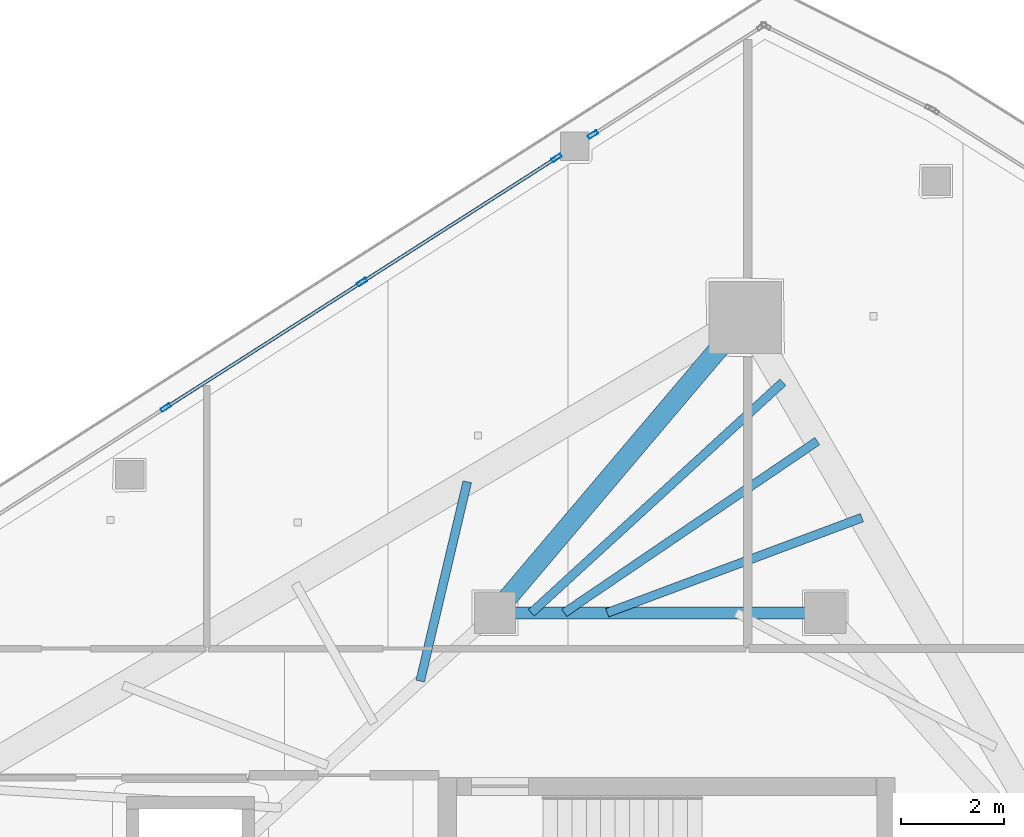
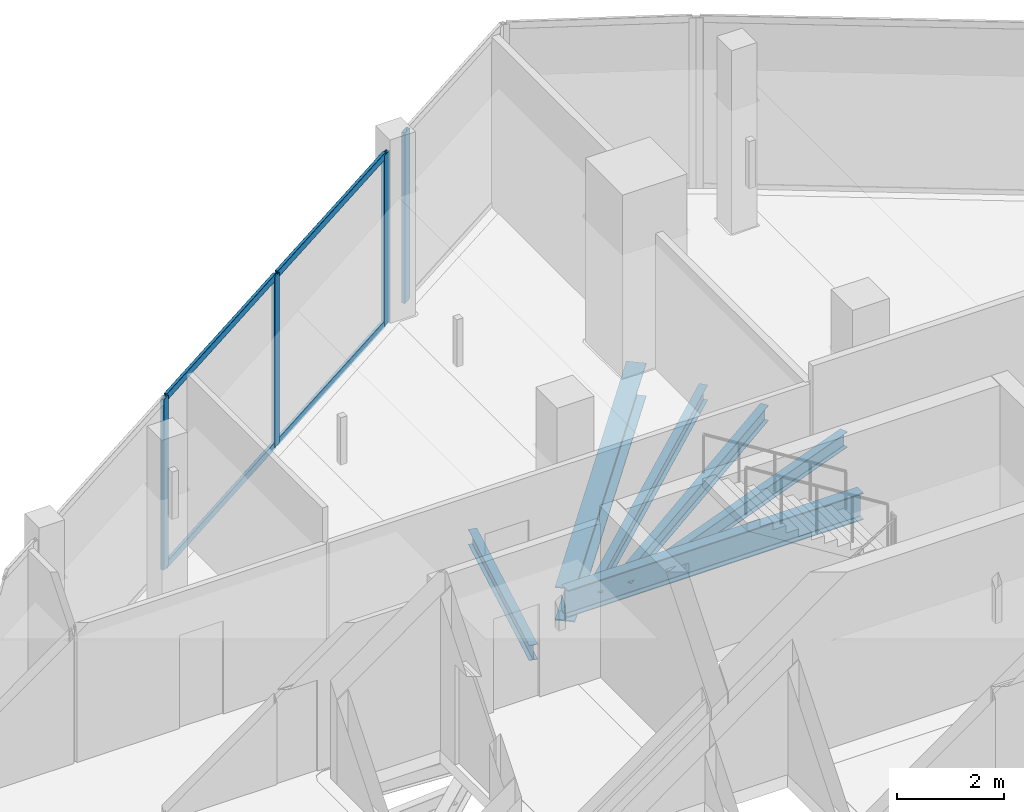
# One storey, part 13 of 25: 8 members, 6 beams, 2 elements without a shape of their own.
"""IFC4 building model written with IfcOpenShell, lengths in metres."""

from ifc_helpers import new_model, si_unit, direction, frame, origin, origin_2d, place, context, subcontext, project, spatial, hollow_rectangle, i_section, extrude, material, layer, layer_set, material_profile, profile_set, type_object, element, aggregate, save


model = new_model("IFC4")

# Units and contexts
model_context = context("Model", 3, precision=1e-05, world=origin(), true_north=direction((0.0, 1.0)))
body_context = subcontext(model_context, "Body", "Model", "MODEL_VIEW")
ifc_project = project(units=[si_unit("LENGTHUNIT", "METRE"), si_unit("AREAUNIT", "SQUARE_METRE"), si_unit("VOLUMEUNIT", "CUBIC_METRE"), si_unit("PLANEANGLEUNIT", "RADIAN"), si_unit("MASSUNIT", "GRAM", prefix="KILO")], contexts=[model_context])

# Site, building, storey
site_placement = place(None, origin())
site = spatial("IfcSite", under=ifc_project, at=site_placement, CompositionType="ELEMENT")
building_placement = place(site_placement, origin())
building = spatial("IfcBuilding", under=site, at=building_placement, Name="Qorvath Tower", CompositionType="ELEMENT")
storey_placement = place(building_placement, frame((0.0, 0.0, 297.60009765625)))
storey = spatial("IfcBuildingStorey", under=building, at=storey_placement, Name="L69", CompositionType="ELEMENT", Elevation=297.60009765625)

# Beams
ifc_material_1 = material(Name="Steel ASTM A992 Grade 50", Category="steel")
ifc_material_profile_1 = material_profile(ifc_material_1, i_section(OverallWidth=0.381103515625, OverallDepth=0.77294921875, WebThickness=0.0166015625, FlangeThickness=0.027099609375, FilletRadius=0.01904296875, at=origin_2d()), Name="W30x173")
ifc_profile_set_1 = profile_set([ifc_material_profile_1], Name="Steel ASTM A992 Grade 50")
beam_type_1 = type_object("IfcBeamType", Name="BM-FG3", PredefinedType="BEAM", material=ifc_profile_set_1)
beam_1_placement = place(storey_placement, frame((-23.60009765625, 11.449951171875, -0.676513671875), z_axis=(0.646321389876, 0.763065305848, 0.0), x_axis=(-0.763065305848, 0.646321389876, 0.0)))
element("IfcBeam", 1, at=beam_1_placement, inside=storey, type_object=beam_type_1, Name="Radial Floor Girder CC1-MC6 L69", PredefinedType="BEAM", context=body_context, shape_type="SweptSolid", body=[
    extrude(i_section(OverallWidth=0.381103515625, OverallDepth=0.77294921875, WebThickness=0.0166015625, FlangeThickness=0.027099609375, FilletRadius=0.01904296875, at=origin_2d()), origin(), (0.0, 0.0, 1.0), 7.50341796875),
])
ifc_material_2 = material(Name="Steel ASTM A992 Grade 50", Category="steel")
ifc_material_profile_2 = material_profile(ifc_material_2, i_section(OverallWidth=0.22998046875, OverallDepth=0.616943359375, WebThickness=0.01318359375, FlangeThickness=0.022216796875, FilletRadius=0.014892578125, at=origin_2d()), Name="W24x94")
ifc_profile_set_2 = profile_set([ifc_material_profile_2], Name="Steel ASTM A992 Grade 50")
beam_type_2 = type_object("IfcBeamType", Name="BM-FG6", PredefinedType="BEAM", material=ifc_profile_set_2)
beam_2_placement = place(storey_placement, frame((-23.60009765625, 11.449951171875, -0.598388671875), z_axis=(1.0, 0.0, 0.0), x_axis=(0.0, 1.0, 0.0)))
element("IfcBeam", 2, at=beam_2_placement, inside=storey, type_object=beam_type_2, Name="Core Ring Girder CC1-CC2 L69", PredefinedType="BEAM", context=body_context, shape_type="SweptSolid", body=[
    extrude(i_section(OverallWidth=0.22998046875, OverallDepth=0.616943359375, WebThickness=0.01318359375, FlangeThickness=0.022216796875, FilletRadius=0.014892578125, at=origin_2d()), origin(), (0.0, 0.0, 1.0), 6.400146484375),
])
ifc_material_3 = material(Name="Steel ASTM A992 Grade 50", Category="steel")
ifc_material_profile_3 = material_profile(ifc_material_3, i_section(OverallWidth=0.1708984375, OverallDepth=0.35107421875, WebThickness=0.0068359375, FlangeThickness=0.009765625, FilletRadius=0.010009765625, at=origin_2d()), Name="W14x30")
ifc_profile_set_3 = profile_set([ifc_material_profile_3], Name="Steel ASTM A992 Grade 50")
beam_type_3 = type_object("IfcBeamType", Name="BM-FJ4", PredefinedType="JOIST", material=ifc_profile_set_3)
beam_3_placement = place(storey_placement, frame((-21.424072265625, 11.449951171875, -0.465576171875), z_axis=(0.936775909139, 0.349929844478, 0.0), x_axis=(-0.349929844478, 0.936775909139, 0.0)))
element("IfcBeam", 3, at=beam_3_placement, inside=storey, type_object=beam_type_3, Name="Composite Floor Joist NE5 L69", PredefinedType="JOIST", context=body_context, shape_type="SweptSolid", body=[
    extrude(i_section(OverallWidth=0.1708984375, OverallDepth=0.35107421875, WebThickness=0.0068359375, FlangeThickness=0.009765625, FilletRadius=0.010009765625, at=origin_2d()), origin(), (0.0, 0.0, 1.0), 5.268798828125),
])
beam_4_placement = place(storey_placement, frame((-22.256103515625, 11.449951171875, -0.465576171875), z_axis=(0.827400561462, 0.56161224247, 0.0), x_axis=(-0.56161224247, 0.827400561462, 0.0)))
element("IfcBeam", 4, at=beam_4_placement, inside=storey, type_object=beam_type_3, Name="Composite Floor Joist NE6 L69", PredefinedType="JOIST", context=body_context, shape_type="SweptSolid", body=[
    extrude(i_section(OverallWidth=0.1708984375, OverallDepth=0.35107421875, WebThickness=0.0068359375, FlangeThickness=0.009765625, FilletRadius=0.010009765625, at=origin_2d()), origin(), (0.0, 0.0, 1.0), 5.925537109375),
])
beam_5_placement = place(storey_placement, frame((-22.89599609375, 11.449951171875, -0.465576171875), z_axis=(0.737232260457, 0.675639396528, 0.0), x_axis=(-0.675639396528, 0.737232260457, 0.0)))
element("IfcBeam", 5, at=beam_5_placement, inside=storey, type_object=beam_type_3, Name="Composite Floor Joist NE7 L69", PredefinedType="JOIST", context=body_context, shape_type="SweptSolid", body=[
    extrude(i_section(OverallWidth=0.1708984375, OverallDepth=0.35107421875, WebThickness=0.0068359375, FlangeThickness=0.009765625, FilletRadius=0.010009765625, at=origin_2d()), origin(), (0.0, 0.0, 1.0), 6.615478515625),
])
beam_6_placement = place(storey_placement, frame((-25.049072265625, 10.126953125, -0.465576171875), z_axis=(0.22966321917, 0.973270160726, 0.0), x_axis=(-0.973270160726, 0.22966321917, 0.0)))
element("IfcBeam", 6, at=beam_6_placement, inside=storey, type_object=beam_type_3, Name="Composite Floor Joist NW6 L69", PredefinedType="JOIST", context=body_context, shape_type="SweptSolid", body=[
    extrude(i_section(OverallWidth=0.1708984375, OverallDepth=0.35107421875, WebThickness=0.0068359375, FlangeThickness=0.009765625, FilletRadius=0.010009765625, at=origin_2d()), origin(), (0.0, 0.0, 1.0), 3.969482421875),
])

# Curtain wall, member
ifc_material_4 = material(Name="Anodised aluminium and triple low-E glass", Category="aluminium")
ifc_layer = layer(ifc_material_4, 0.179931640625)
ifc_layer_set = layer_set([ifc_layer], Name="CW-SYS-5")
curtain_wall_type = type_object("IfcCurtainWallType", Name="CW-SYS-5", PredefinedType="NOTDEFINED", material=ifc_layer_set)
curtain_wall_1_placement = place(storey_placement, origin())
curtain_wall_1 = element("IfcCurtainWall", 7, at=curtain_wall_1_placement, inside=storey, type_object=curtain_wall_type, Name="Curtain Wall CW-5 CW-T-L69-16.1", PredefinedType="NOTDEFINED")
ifc_material_5 = material(Name="Anodised aluminium 6063-T6", Category="aluminium")
ifc_material_profile_4 = material_profile(ifc_material_5, hollow_rectangle(XDim=0.074951171875, YDim=0.199951171875, WallThickness=0.00390625, InnerFilletRadius=0.00390625, OuterFilletRadius=0.008056640625, at=origin_2d()), Name="CWM 200x75")
ifc_profile_set_4 = profile_set([ifc_material_profile_4], Name="Anodised aluminium 6063-T6")
member_type_1 = type_object("IfcMemberType", Name="CWM-200", PredefinedType="MULLION", material=ifc_profile_set_4)
member_1_placement = place(storey_placement, frame((-21.70166015625, 20.719482421875, 0.0), z_axis=(0.0, 0.0, 1.0), x_axis=(0.538544763076, -0.842596901349, 0.0)))
member_1 = element("IfcMember", 8, at=member_1_placement, type_object=member_type_1, Name="CW-5 mullion 2", PredefinedType="MULLION", context=body_context, shape_type="SweptSolid", body=[
    extrude(hollow_rectangle(XDim=0.074951171875, YDim=0.199951171875, WallThickness=0.00390625, InnerFilletRadius=0.00390625, OuterFilletRadius=0.008056640625, at=origin_2d()), origin(), (0.0, 0.0, 1.0), 3.909912109375),
])
aggregate(curtain_wall_1, [member_1])

# Curtain wall, members
curtain_wall_2_placement = place(storey_placement, origin())
curtain_wall_2 = element("IfcCurtainWall", 9, at=curtain_wall_2_placement, inside=storey, type_object=curtain_wall_type, Name="Curtain Wall CW-5 CW-T-L69-16.2", PredefinedType="NOTDEFINED")
member_2_placement = place(storey_placement, frame((-22.40478515625, 20.27001953125, 0.0), z_axis=(0.0, 0.0, 1.0), x_axis=(0.538541483143, -0.842598997705, 0.0)))
member_2 = element("IfcMember", 10, at=member_2_placement, type_object=member_type_1, Name="CW-5 mullion 1", PredefinedType="MULLION", context=body_context, shape_type="SweptSolid", body=[
    extrude(hollow_rectangle(XDim=0.074951171875, YDim=0.199951171875, WallThickness=0.00390625, InnerFilletRadius=0.00390625, OuterFilletRadius=0.008056640625, at=origin_2d()), origin(), (0.0, 0.0, 1.0), 3.909912109375),
])
member_3_placement = place(storey_placement, frame((-26.177001953125, 17.859130859375, 0.0), z_axis=(0.0, 0.0, 1.0), x_axis=(0.538541483143, -0.842598997705, 0.0)))
member_3 = element("IfcMember", 11, at=member_3_placement, type_object=member_type_1, Name="CW-5 mullion 2", PredefinedType="MULLION", context=body_context, shape_type="SweptSolid", body=[
    extrude(hollow_rectangle(XDim=0.074951171875, YDim=0.199951171875, WallThickness=0.00390625, InnerFilletRadius=0.00390625, OuterFilletRadius=0.008056640625, at=origin_2d()), origin(), (0.0, 0.0, 1.0), 3.909912109375),
])
member_4_placement = place(storey_placement, frame((-29.98046875, 15.42822265625, 0.0), z_axis=(0.0, 0.0, 1.0), x_axis=(0.538541483143, -0.842598997705, 0.0)))
member_4 = element("IfcMember", 12, at=member_4_placement, type_object=member_type_1, Name="CW-5 mullion 3", PredefinedType="MULLION", context=body_context, shape_type="SweptSolid", body=[
    extrude(hollow_rectangle(XDim=0.074951171875, YDim=0.199951171875, WallThickness=0.00390625, InnerFilletRadius=0.00390625, OuterFilletRadius=0.008056640625, at=origin_2d()), origin(), (0.0, 0.0, 1.0), 3.909912109375),
])
ifc_material_6 = material(Name="Anodised aluminium 6063-T6", Category="aluminium")
ifc_material_profile_5 = material_profile(ifc_material_6, hollow_rectangle(XDim=0.06494140625, YDim=0.159912109375, WallThickness=0.00341796875, InnerFilletRadius=0.00341796875, OuterFilletRadius=0.007080078125, at=origin_2d()), Name="CWT 160x65")
ifc_profile_set_5 = profile_set([ifc_material_profile_5], Name="Anodised aluminium 6063-T6")
member_type_2 = type_object("IfcMemberType", Name="CWT-160", PredefinedType="USERDEFINED", material=ifc_profile_set_5)
member_5_placement = place(storey_placement, frame((-22.4365234375, 20.25, 0.032470703125), z_axis=(-0.842579503692, -0.538571982151, 0.0), x_axis=(0.538571982151, -0.842579503692, 0.0)))
member_5 = element("IfcMember", 13, at=member_5_placement, type_object=member_type_2, Name="CW-5 transom 1.1", ObjectType="TRANSOM", PredefinedType="USERDEFINED", context=body_context, shape_type="SweptSolid", body=[
    extrude(hollow_rectangle(XDim=0.06494140625, YDim=0.159912109375, WallThickness=0.00341796875, InnerFilletRadius=0.00341796875, OuterFilletRadius=0.007080078125, at=origin_2d()), origin(), (0.0, 0.0, 1.0), 4.401611328125),
])
member_6_placement = place(storey_placement, frame((-22.4365234375, 20.25, 3.87744140625), z_axis=(-0.842579503692, -0.538571982151, 0.0), x_axis=(0.538571982151, -0.842579503692, 0.0)))
member_6 = element("IfcMember", 14, at=member_6_placement, type_object=member_type_2, Name="CW-5 transom 1.2", ObjectType="TRANSOM", PredefinedType="USERDEFINED", context=body_context, shape_type="SweptSolid", body=[
    extrude(hollow_rectangle(XDim=0.06494140625, YDim=0.159912109375, WallThickness=0.00341796875, InnerFilletRadius=0.00341796875, OuterFilletRadius=0.007080078125, at=origin_2d()), origin(), (0.0, 0.0, 1.0), 4.401611328125),
])
member_7_placement = place(storey_placement, frame((-26.20849609375, 17.839111328125, 0.032470703125), z_axis=(-0.842581880863, -0.538568263122, 0.0), x_axis=(0.538568263122, -0.842581880863, 0.0)))
member_7 = element("IfcMember", 15, at=member_7_placement, type_object=member_type_2, Name="CW-5 transom 2.1", ObjectType="TRANSOM", PredefinedType="USERDEFINED", context=body_context, shape_type="SweptSolid", body=[
    extrude(hollow_rectangle(XDim=0.06494140625, YDim=0.159912109375, WallThickness=0.00341796875, InnerFilletRadius=0.00341796875, OuterFilletRadius=0.007080078125, at=origin_2d()), origin(), (0.0, 0.0, 1.0), 4.439208984375),
])
member_8_placement = place(storey_placement, frame((-26.20849609375, 17.839111328125, 3.87744140625), z_axis=(-0.842581880863, -0.538568263122, 0.0), x_axis=(0.538568263122, -0.842581880863, 0.0)))
member_8 = element("IfcMember", 16, at=member_8_placement, type_object=member_type_2, Name="CW-5 transom 2.2", ObjectType="TRANSOM", PredefinedType="USERDEFINED", context=body_context, shape_type="SweptSolid", body=[
    extrude(hollow_rectangle(XDim=0.06494140625, YDim=0.159912109375, WallThickness=0.00341796875, InnerFilletRadius=0.00341796875, OuterFilletRadius=0.007080078125, at=origin_2d()), origin(), (0.0, 0.0, 1.0), 4.439208984375),
])
aggregate(curtain_wall_2, [member_2, member_3, member_4, member_5, member_6, member_7, member_8])

save(model, "model.ifc")
